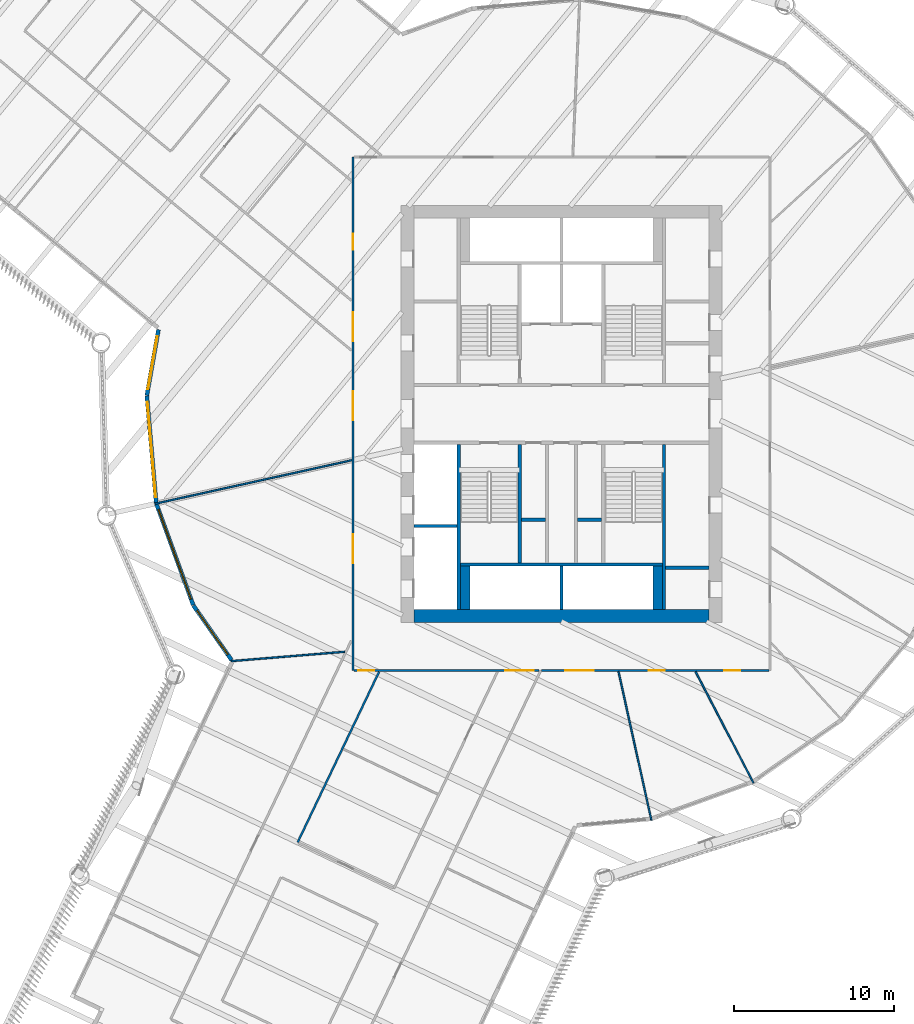
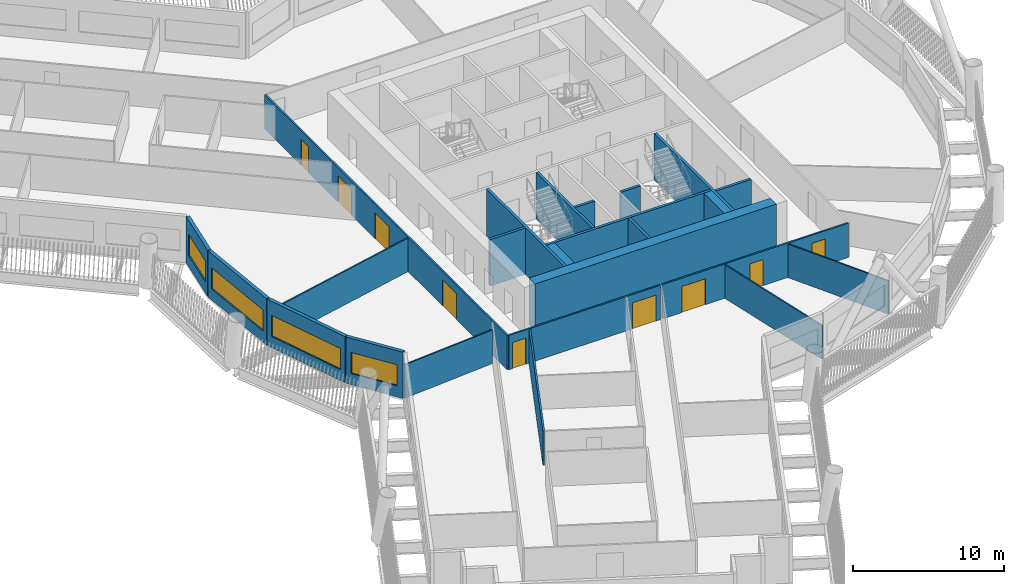
# One storey, part 4 of 22: 24 walls, 9 doors, 4 windows, 13 openings.
"""IFC4 building model written with IfcOpenShell, lengths in metres."""

from ifc_helpers import new_model, si_unit, direction, frame, frame_2d, origin, place, context, subcontext, project, spatial, rectangle, extrude, material, layer, layer_set, type_object, element, fill, save


model = new_model("IFC4")

# Units and contexts
model_context = context("Model", 3, precision=1e-05, world=origin(), true_north=direction((0.0, 1.0)))
body_context = subcontext(model_context, "Body", "Model", "MODEL_VIEW")
ifc_project = project(units=[si_unit("LENGTHUNIT", "METRE"), si_unit("AREAUNIT", "SQUARE_METRE"), si_unit("VOLUMEUNIT", "CUBIC_METRE"), si_unit("PLANEANGLEUNIT", "RADIAN"), si_unit("MASSUNIT", "GRAM", prefix="KILO")], contexts=[model_context])

# Site, building, storey
site_placement = place(None, origin())
site = spatial("IfcSite", under=ifc_project, at=site_placement, CompositionType="ELEMENT")
building_placement = place(site_placement, origin())
building = spatial("IfcBuilding", under=site, at=building_placement, Name="Tarsis Ring Headquarters", CompositionType="ELEMENT")
storey_placement = place(building_placement, frame((0.0, 0.0, 108.39990234375)))
storey = spatial("IfcBuildingStorey", under=building, at=storey_placement, Name="L24", CompositionType="ELEMENT", Elevation=108.39990234375)

# Walls
ifc_material_1 = material(Name="Blockwork", Category="masonry")
ifc_layer_1 = layer(ifc_material_1, 0.199951171875)
ifc_layer_set_1 = layer_set([ifc_layer_1], Name="Core blockwork wall 200")
wall_type_1 = type_object("IfcWallType", Name="Core blockwork wall 200", PredefinedType="PARTITIONING", material=ifc_layer_set_1)
wall_1_placement = place(storey_placement, frame((6.5, -9.60009765625, 0.0), z_axis=(0.0, 0.0, 1.0), x_axis=(1.0, 0.0, 0.0)))
element("IfcWall", 1, at=wall_1_placement, inside=storey, type_object=wall_type_1, Name="Core partition ED1", PredefinedType="PARTITIONING", context=body_context, shape_type="SweptSolid", body=[
    extrude(rectangle(XDim=2.699951171875, YDim=0.199951171875, at=frame_2d((1.35009765625, 0.0))), origin(), (0.0, 0.0, 1.0), 3.739990234375),
])
for number, where, z_axis, x_axis, name in (
    (2, (-2.5, -6.60009765625, 0.0), (0.0, 0.0, 1.0), (1.0, 0.0, 0.0), "Core partition SP1"),
    (3, (1.0, -6.60009765625, 0.0), (0.0, 0.0, 1.0), (1.0, 0.0, 0.0), "Core partition SP3"),
):
    element("IfcWall", number, at=place(storey_placement, frame(where, z_axis=z_axis, x_axis=x_axis)), inside=storey, type_object=wall_type_1, Name=name, PredefinedType="PARTITIONING", context=body_context, shape_type="SweptSolid", body=[
        extrude(rectangle(XDim=1.5, YDim=0.199951171875, at=frame_2d((0.75, 0.0))), origin(), (0.0, 0.0, 1.0), 3.739990234375),
    ])
ifc_material_2 = material(Name="Concrete C60/75", Category="concrete")
ifc_layer_2 = layer(ifc_material_2, 0.800048828125)
ifc_layer_set_2 = layer_set([ifc_layer_2], Name="Core wall 800 C60/75")
wall_type_2 = type_object("IfcWallType", Name="Core wall 800 C60/75", PredefinedType="SHEAR", material=ifc_layer_set_2)
wall_2_placement = place(storey_placement, frame((-9.199951171875, -12.60009765625, 0.0), z_axis=(0.0, 0.0, 1.0), x_axis=(1.0, 0.0, 0.0)))
element("IfcWall", 4, at=wall_2_placement, inside=storey, type_object=wall_type_2, Name="Core wall OS", PredefinedType="SHEAR", context=body_context, shape_type="SweptSolid", body=[
    extrude(rectangle(XDim=18.39990234375, YDim=0.800048828125, at=frame_2d((9.199951171875, 0.0))), origin(), (0.0, 0.0, 1.0), 3.739990234375),
])
ifc_material_3 = material(Name="Gypsum board on steel studs", Category="steel")
ifc_layer_3 = layer(ifc_material_3, 0.10009765625)
ifc_layer_set_3 = layer_set([ifc_layer_3], Name="FL partition 100 unrated")
wall_type_3 = type_object("IfcWallType", Name="FL partition 100 unrated", PredefinedType="PARTITIONING", material=ifc_layer_set_3)
wall_3_placement = place(storey_placement, frame((-25.334716796875, -5.607421875, 0.0), z_axis=(0.0, 0.0, 1.0), x_axis=(0.976368244752, 0.216113513323, 0.0)))
element("IfcWall", 5, at=wall_3_placement, inside=storey, type_object=wall_type_3, Name="Partition PW3", PredefinedType="PARTITIONING", context=body_context, shape_type="SweptSolid", body=[
    extrude(rectangle(XDim=12.563232421875, YDim=0.10009765625, at=frame_2d((6.28173828125, 0.0))), origin(), (0.0, 0.0, 1.0), 2.7001953125),
])
wall_4_placement = place(storey_placement, frame((3.556396484375, -16.068359375, 0.0), z_axis=(0.0, 0.0, 1.0), x_axis=(0.216110530138, -0.976368905058, 0.0)))
element("IfcWall", 6, at=wall_4_placement, inside=storey, type_object=wall_type_3, Name="Partition PW3", PredefinedType="PARTITIONING", context=body_context, shape_type="SweptSolid", body=[
    extrude(rectangle(XDim=9.49072265625, YDim=0.10009765625, at=frame_2d((4.745361328125, 0.0))), origin(), (0.0, 0.0, 1.0), 2.7001953125),
])
wall_5_placement = place(storey_placement, frame((8.363525390625, -16.079833984375, 0.0), z_axis=(0.0, 0.0, 1.0), x_axis=(0.461437239061, -0.887172854864, 0.0)))
element("IfcWall", 7, at=wall_5_placement, inside=storey, type_object=wall_type_3, Name="Partition PW3", PredefinedType="PARTITIONING", context=body_context, shape_type="SweptSolid", body=[
    extrude(rectangle(XDim=7.822998046875, YDim=0.10009765625, at=frame_2d((3.91162109375, 0.0))), origin(), (0.0, 0.0, 1.0), 2.7001953125),
])
wall_6_placement = place(storey_placement, frame((-20.575439453125, -15.419189453125, 0.0), z_axis=(0.0, 0.0, 1.0), x_axis=(0.996594345111, 0.082460361946, 0.0)))
element("IfcWall", 8, at=wall_6_placement, inside=storey, type_object=wall_type_3, Name="Partition PW3", PredefinedType="PARTITIONING", context=body_context, shape_type="SweptSolid", body=[
    extrude(rectangle(XDim=7.0791015625, YDim=0.10009765625, at=frame_2d((3.53955078125, 0.0))), origin(), (0.0, 0.0, 1.0), 2.7001953125),
])

# Wall, openings, doors
ifc_layer_4 = layer(ifc_material_3, 0.125)
ifc_layer_set_4 = layer_set([ifc_layer_4], Name="FL partition 125 EI 60 H2770")
wall_type_4 = type_object("IfcWallType", Name="FL partition 125 EI 60 H2770", PredefinedType="PARTITIONING", material=ifc_layer_set_4)
wall_7_placement = place(storey_placement, frame((-13.0, -16.0, 0.0), z_axis=(0.0, 0.0, 1.0), x_axis=(0.0, 1.0, 0.0)))
wall_7 = element("IfcWall", 9, at=wall_7_placement, inside=storey, type_object=wall_type_4, Name="Partition PW1", PredefinedType="PARTITIONING", context=body_context, shape_type="SweptSolid", body=[
    extrude(rectangle(XDim=32.0, YDim=0.125, at=frame_2d((16.0, 0.0))), origin(), (0.0, 0.0, 1.0), 2.77001953125),
])
opening_1_placement = place(wall_7_placement, frame((6.696044921875, 0.0, 0.0)))
opening_1 = element("IfcOpeningElement", 10, at=opening_1_placement, cuts=wall_7, Name="Opening D24.14", PredefinedType="OPENING", context=body_context, shape_type="SweptSolid", body=[
    extrude(rectangle(XDim=1.800048828125, YDim=2.10009765625, at=frame_2d((0.89990234375, 1.050048828125))), frame((0.0, 0.072509765625, 0.0), z_axis=(0.0, -1.0, 0.0), x_axis=(1.0, 0.0, 0.0)), (0.0, 0.0, 1.0), 0.14501953125),
])
opening_2_placement = place(wall_7_placement, frame((15.60107421875, 0.0, 0.0)))
opening_2 = element("IfcOpeningElement", 11, at=opening_2_placement, cuts=wall_7, Name="Opening D24.15", PredefinedType="OPENING", context=body_context, shape_type="SweptSolid", body=[
    extrude(rectangle(XDim=1.800048828125, YDim=2.10009765625, at=frame_2d((0.89990234375, 1.050048828125))), frame((0.0, 0.072509765625, 0.0), z_axis=(0.0, -1.0, 0.0), x_axis=(1.0, 0.0, 0.0)), (0.0, 0.0, 1.0), 0.14501953125),
])
opening_3_placement = place(wall_7_placement, frame((26.22412109375, 0.0, 0.0)))
opening_3 = element("IfcOpeningElement", 12, at=opening_3_placement, cuts=wall_7, Name="Opening D24.16", PredefinedType="OPENING", context=body_context, shape_type="SweptSolid", body=[
    extrude(rectangle(XDim=1.0, YDim=2.10009765625, at=frame_2d((0.5, 1.050048828125))), frame((0.0, 0.072509765625, 0.0), z_axis=(0.0, -1.0, 0.0), x_axis=(1.0, 0.0, 0.0)), (0.0, 0.0, 1.0), 0.14501953125),
])
opening_4_placement = place(wall_7_placement, frame((20.534912109375, 0.0, 0.0)))
opening_4 = element("IfcOpeningElement", 13, at=opening_4_placement, cuts=wall_7, Name="Opening D24.23", PredefinedType="OPENING", context=body_context, shape_type="SweptSolid", body=[
    extrude(rectangle(XDim=1.800048828125, YDim=2.10009765625, at=frame_2d((0.89990234375, 1.050048828125))), frame((0.0, 0.072509765625, 0.0), z_axis=(0.0, -1.0, 0.0), x_axis=(1.0, 0.0, 0.0)), (0.0, 0.0, 1.0), 0.14501953125),
])
ifc_material_4 = material(Name="Fire-rated timber door leaf in steel frame", Category="steel")
door_type_1 = type_object("IfcDoorType", Name="FL door FD60-1000", OperationType="NOTDEFINED", PredefinedType="DOOR", material=ifc_material_4)
door_1_placement = place(opening_3_placement, origin())
door_1 = element("IfcDoor", 14, at=door_1_placement, inside=storey, type_object=door_type_1, Name="Door D24.16", OperationType="SINGLE_SWING_RIGHT", OverallHeight=2.10009765625, OverallWidth=1.0, PredefinedType="DOOR", context=body_context, shape_type="SweptSolid", body=[
    extrude(rectangle(XDim=1.0, YDim=2.10009765625, at=frame_2d((0.5, 1.050048828125))), frame((0.0, 0.02490234375, 0.0), z_axis=(0.0, -1.0, 0.0), x_axis=(1.0, 0.0, 0.0)), (0.0, 0.0, 1.0), 0.050048828125),
])
fill(opening_3, door_1)
door_type_2 = type_object("IfcDoorType", Name="FL door FD60-1800", OperationType="DOUBLE_DOOR_SINGLE_SWING", PredefinedType="DOOR", material=ifc_material_4)
door_2_placement = place(opening_1_placement, origin())
door_2 = element("IfcDoor", 15, at=door_2_placement, inside=storey, type_object=door_type_2, Name="Door D24.14", OperationType="DOUBLE_DOOR_SINGLE_SWING", OverallHeight=2.10009765625, OverallWidth=1.800048828125, PredefinedType="DOOR", context=body_context, shape_type="SweptSolid", body=[
    extrude(rectangle(XDim=1.800048828125, YDim=2.10009765625, at=frame_2d((0.89990234375, 1.050048828125))), frame((0.0, 0.02490234375, 0.0), z_axis=(0.0, -1.0, 0.0), x_axis=(1.0, 0.0, 0.0)), (0.0, 0.0, 1.0), 0.050048828125),
])
fill(opening_1, door_2)
door_3_placement = place(opening_2_placement, origin())
door_3 = element("IfcDoor", 16, at=door_3_placement, inside=storey, type_object=door_type_2, Name="Door D24.15", OperationType="DOUBLE_DOOR_SINGLE_SWING", OverallHeight=2.10009765625, OverallWidth=1.800048828125, PredefinedType="DOOR", context=body_context, shape_type="SweptSolid", body=[
    extrude(rectangle(XDim=1.800048828125, YDim=2.10009765625, at=frame_2d((0.89990234375, 1.050048828125))), frame((0.0, 0.02490234375, 0.0), z_axis=(0.0, -1.0, 0.0), x_axis=(1.0, 0.0, 0.0)), (0.0, 0.0, 1.0), 0.050048828125),
])
fill(opening_2, door_3)
door_4_placement = place(opening_4_placement, origin())
door_4 = element("IfcDoor", 17, at=door_4_placement, inside=storey, type_object=door_type_2, Name="Door D24.23", OperationType="DOUBLE_DOOR_SINGLE_SWING", OverallHeight=2.10009765625, OverallWidth=1.800048828125, PredefinedType="DOOR", context=body_context, shape_type="SweptSolid", body=[
    extrude(rectangle(XDim=1.800048828125, YDim=2.10009765625, at=frame_2d((0.89990234375, 1.050048828125))), frame((0.0, 0.02490234375, 0.0), z_axis=(0.0, -1.0, 0.0), x_axis=(1.0, 0.0, 0.0)), (0.0, 0.0, 1.0), 0.050048828125),
])
fill(opening_4, door_4)

wall_8_placement = place(storey_placement, frame((-12.93994140625, -16.0, 0.0), z_axis=(0.0, 0.0, 1.0), x_axis=(1.0, 0.0, 0.0)))
wall_8 = element("IfcWall", 18, at=wall_8_placement, inside=storey, type_object=wall_type_4, Name="Partition PW1", PredefinedType="PARTITIONING", context=body_context, shape_type="SweptSolid", body=[
    extrude(rectangle(XDim=11.5517578125, YDim=0.125, at=frame_2d((5.77587890625, 0.0))), origin(), (0.0, 0.0, 1.0), 2.77001953125),
])
opening_5_placement = place(wall_8_placement, frame((0.27587890625, 0.0, 0.0)))
opening_5 = element("IfcOpeningElement", 19, at=opening_5_placement, cuts=wall_8, Name="Opening D24.21", PredefinedType="OPENING", context=body_context, shape_type="SweptSolid", body=[
    extrude(rectangle(XDim=1.0, YDim=2.10009765625, at=frame_2d((0.5, 1.050048828125))), frame((0.0, 0.072509765625, 0.0), z_axis=(0.0, -1.0, 0.0), x_axis=(1.0, 0.0, 0.0)), (0.0, 0.0, 1.0), 0.14501953125),
])
opening_6_placement = place(wall_8_placement, frame((9.42138671875, 0.0, 0.0)))
opening_6 = element("IfcOpeningElement", 20, at=opening_6_placement, cuts=wall_8, Name="Opening D24.22", PredefinedType="OPENING", context=body_context, shape_type="SweptSolid", body=[
    extrude(rectangle(XDim=1.800048828125, YDim=2.10009765625, at=frame_2d((0.89990234375, 1.050048828125))), frame((0.0, 0.072509765625, 0.0), z_axis=(0.0, -1.0, 0.0), x_axis=(1.0, 0.0, 0.0)), (0.0, 0.0, 1.0), 0.14501953125),
])
door_5_placement = place(opening_5_placement, origin())
door_5 = element("IfcDoor", 21, at=door_5_placement, inside=storey, type_object=door_type_1, Name="Door D24.21", OperationType="SINGLE_SWING_LEFT", OverallHeight=2.10009765625, OverallWidth=1.0, PredefinedType="DOOR", context=body_context, shape_type="SweptSolid", body=[
    extrude(rectangle(XDim=1.0, YDim=2.10009765625, at=frame_2d((0.5, 1.050048828125))), frame((0.0, 0.02490234375, 0.0), z_axis=(0.0, -1.0, 0.0), x_axis=(1.0, 0.0, 0.0)), (0.0, 0.0, 1.0), 0.050048828125),
])
fill(opening_5, door_5)
door_6_placement = place(opening_6_placement, origin())
door_6 = element("IfcDoor", 22, at=door_6_placement, inside=storey, type_object=door_type_2, Name="Door D24.22", OperationType="DOUBLE_DOOR_SINGLE_SWING", OverallHeight=2.10009765625, OverallWidth=1.800048828125, PredefinedType="DOOR", context=body_context, shape_type="SweptSolid", body=[
    extrude(rectangle(XDim=1.800048828125, YDim=2.10009765625, at=frame_2d((0.89990234375, 1.050048828125))), frame((0.0, 0.02490234375, 0.0), z_axis=(0.0, -1.0, 0.0), x_axis=(1.0, 0.0, 0.0)), (0.0, 0.0, 1.0), 0.050048828125),
])
fill(opening_6, door_6)

wall_9_placement = place(storey_placement, frame((-1.232666015625, -16.0, 0.0), z_axis=(0.0, 0.0, 1.0), x_axis=(1.0, 0.0, 0.0)))
wall_9 = element("IfcWall", 23, at=wall_9_placement, inside=storey, type_object=wall_type_4, Name="Partition PW1", PredefinedType="PARTITIONING", context=body_context, shape_type="SweptSolid", body=[
    extrude(rectangle(XDim=14.172607421875, YDim=0.125, at=frame_2d((7.08642578125, 0.0))), origin(), (0.0, 0.0, 1.0), 2.77001953125),
])
opening_7_placement = place(wall_9_placement, frame((11.3935546875, 0.0, 0.0)))
opening_7 = element("IfcOpeningElement", 24, at=opening_7_placement, cuts=wall_9, Name="Opening D24.08", PredefinedType="OPENING", context=body_context, shape_type="SweptSolid", body=[
    extrude(rectangle(XDim=1.0, YDim=2.10009765625, at=frame_2d((0.5, 1.050048828125))), frame((0.0, 0.072509765625, 0.0), z_axis=(0.0, -1.0, 0.0), x_axis=(1.0, 0.0, 0.0)), (0.0, 0.0, 1.0), 0.14501953125),
])
opening_8_placement = place(wall_9_placement, frame((6.664306640625, 0.0, 0.0)))
opening_8 = element("IfcOpeningElement", 25, at=opening_8_placement, cuts=wall_9, Name="Opening D24.09", PredefinedType="OPENING", context=body_context, shape_type="SweptSolid", body=[
    extrude(rectangle(XDim=1.0, YDim=2.10009765625, at=frame_2d((0.5, 1.050048828125))), frame((0.0, 0.072509765625, 0.0), z_axis=(0.0, -1.0, 0.0), x_axis=(1.0, 0.0, 0.0)), (0.0, 0.0, 1.0), 0.14501953125),
])
opening_9_placement = place(wall_9_placement, frame((1.458740234375, 0.0, 0.0)))
opening_9 = element("IfcOpeningElement", 26, at=opening_9_placement, cuts=wall_9, Name="Opening D24.10", PredefinedType="OPENING", context=body_context, shape_type="SweptSolid", body=[
    extrude(rectangle(XDim=1.800048828125, YDim=2.10009765625, at=frame_2d((0.89990234375, 1.050048828125))), frame((0.0, 0.072509765625, 0.0), z_axis=(0.0, -1.0, 0.0), x_axis=(1.0, 0.0, 0.0)), (0.0, 0.0, 1.0), 0.14501953125),
])
door_7_placement = place(opening_7_placement, origin())
door_7 = element("IfcDoor", 27, at=door_7_placement, inside=storey, type_object=door_type_1, Name="Door D24.08", OperationType="SINGLE_SWING_RIGHT", OverallHeight=2.10009765625, OverallWidth=1.0, PredefinedType="DOOR", context=body_context, shape_type="SweptSolid", body=[
    extrude(rectangle(XDim=1.0, YDim=2.10009765625, at=frame_2d((0.5, 1.050048828125))), frame((0.0, 0.02490234375, 0.0), z_axis=(0.0, -1.0, 0.0), x_axis=(1.0, 0.0, 0.0)), (0.0, 0.0, 1.0), 0.050048828125),
])
fill(opening_7, door_7)
door_8_placement = place(opening_8_placement, origin())
door_8 = element("IfcDoor", 28, at=door_8_placement, inside=storey, type_object=door_type_1, Name="Door D24.09", OperationType="SINGLE_SWING_LEFT", OverallHeight=2.10009765625, OverallWidth=1.0, PredefinedType="DOOR", context=body_context, shape_type="SweptSolid", body=[
    extrude(rectangle(XDim=1.0, YDim=2.10009765625, at=frame_2d((0.5, 1.050048828125))), frame((0.0, 0.02490234375, 0.0), z_axis=(0.0, -1.0, 0.0), x_axis=(1.0, 0.0, 0.0)), (0.0, 0.0, 1.0), 0.050048828125),
])
fill(opening_8, door_8)
door_9_placement = place(opening_9_placement, origin())
door_9 = element("IfcDoor", 29, at=door_9_placement, inside=storey, type_object=door_type_2, Name="Door D24.10", OperationType="DOUBLE_DOOR_SINGLE_SWING", OverallHeight=2.10009765625, OverallWidth=1.800048828125, PredefinedType="DOOR", context=body_context, shape_type="SweptSolid", body=[
    extrude(rectangle(XDim=1.800048828125, YDim=2.10009765625, at=frame_2d((0.89990234375, 1.050048828125))), frame((0.0, 0.02490234375, 0.0), z_axis=(0.0, -1.0, 0.0), x_axis=(1.0, 0.0, 0.0)), (0.0, 0.0, 1.0), 0.050048828125),
])
fill(opening_9, door_9)

# Wall
wall_10_placement = place(storey_placement, frame((-16.447021484375, -26.72119140625, 0.0), z_axis=(0.0, 0.0, 1.0), x_axis=(0.430847255258, 0.90242486814, 0.0)))
element("IfcWall", 30, at=wall_10_placement, inside=storey, type_object=wall_type_4, Name="Partition PW1", PredefinedType="PARTITIONING", context=body_context, shape_type="SweptSolid", body=[
    extrude(rectangle(XDim=11.790283203125, YDim=0.125, at=frame_2d((5.89501953125, 0.0))), origin(), (0.0, 0.0, 1.0), 2.77001953125),
])

# Wall, opening, window
ifc_material_5 = material(Name="Terracotta clad insulated panel wall", Category="masonry")
ifc_layer_5 = layer(ifc_material_5, 0.25)
ifc_layer_set_5 = layer_set([ifc_layer_5], Name="Facade wall terracotta panel 250")
wall_type_5 = type_object("IfcWallType", Name="Facade wall terracotta panel 250", PredefinedType="STANDARD", material=ifc_layer_set_5)
wall_11_placement = place(storey_placement, frame((-25.12255859375, 5.248046875, 0.0), z_axis=(0.0, 0.0, 1.0), x_axis=(-0.1739896706, -0.984747477542, 0.0)))
wall_11 = element("IfcWall", 31, at=wall_11_placement, inside=storey, type_object=wall_type_5, Name="External wall L24-02", PredefinedType="STANDARD", context=body_context, shape_type="SweptSolid", body=[
    extrude(rectangle(XDim=4.15771484375, YDim=0.25, at=frame_2d((2.078857421875, 0.0))), origin(), (0.0, 0.0, 1.0), 3.739990234375),
])
opening_10_placement = place(wall_11_placement, frame((0.420166015625, 0.0, 0.89990234375)))
opening_10 = element("IfcOpeningElement", 32, at=opening_10_placement, cuts=wall_11, Name="Opening WN01", PredefinedType="OPENING", context=body_context, shape_type="SweptSolid", body=[
    extrude(rectangle(XDim=3.35009765625, YDim=1.699951171875, at=frame_2d((1.675048828125, 0.85009765625))), frame((0.0, 0.135009765625, 0.0), z_axis=(0.0, -1.0, 0.0), x_axis=(1.0, 0.0, 0.0)), (0.0, 0.0, 1.0), 0.27001953125),
])
ifc_material_6 = material(Name="Aluminium framed double glazing", Category="aluminium")
window_type_1 = type_object("IfcWindowType", Name="Facade window 3350 x 1700", PartitioningType="SINGLE_PANEL", PredefinedType="WINDOW", material=ifc_material_6)
window_1_placement = place(opening_10_placement, origin())
window_1 = element("IfcWindow", 33, at=window_1_placement, inside=storey, type_object=window_type_1, Name="Window L24-02.1", OverallHeight=1.699951171875, OverallWidth=3.35009765625, PartitioningType="SINGLE_PANEL", PredefinedType="WINDOW", context=body_context, shape_type="SweptSolid", body=[
    extrude(rectangle(XDim=3.35009765625, YDim=1.699951171875, at=frame_2d((1.675048828125, 0.85009765625))), frame((0.0, 0.030029296875, 0.0), z_axis=(0.0, -1.0, 0.0), x_axis=(1.0, 0.0, 0.0)), (0.0, 0.0, 1.0), 0.06005859375),
])
fill(opening_10, window_1)

wall_12_placement = place(storey_placement, frame((-25.847412109375, 1.121337890625, 0.0), z_axis=(0.0, 0.0, 1.0), x_axis=(0.086808292028, -0.996225035037, 0.0)))
wall_12 = element("IfcWall", 34, at=wall_12_placement, inside=storey, type_object=wall_type_5, Name="External wall L24-03", PredefinedType="STANDARD", context=body_context, shape_type="SweptSolid", body=[
    extrude(rectangle(XDim=6.7216796875, YDim=0.25, at=frame_2d((3.36083984375, 0.0))), origin(), (0.0, 0.0, 1.0), 3.739990234375),
])
opening_11_placement = place(wall_12_placement, frame((0.3857421875, 0.0, 0.89990234375)))
opening_11 = element("IfcOpeningElement", 35, at=opening_11_placement, cuts=wall_12, Name="Opening WN07", PredefinedType="OPENING", context=body_context, shape_type="SweptSolid", body=[
    extrude(rectangle(XDim=5.949951171875, YDim=1.699951171875, at=frame_2d((2.97509765625, 0.85009765625))), frame((0.0, 0.135009765625, 0.0), z_axis=(0.0, -1.0, 0.0), x_axis=(1.0, 0.0, 0.0)), (0.0, 0.0, 1.0), 0.27001953125),
])
window_type_2 = type_object("IfcWindowType", Name="Facade window 5950 x 1700", PartitioningType="SINGLE_PANEL", PredefinedType="WINDOW", material=ifc_material_6)
window_2_placement = place(opening_11_placement, origin())
window_2 = element("IfcWindow", 36, at=window_2_placement, inside=storey, type_object=window_type_2, Name="Window L24-03.1", OverallHeight=1.699951171875, OverallWidth=5.949951171875, PartitioningType="SINGLE_PANEL", PredefinedType="WINDOW", context=body_context, shape_type="SweptSolid", body=[
    extrude(rectangle(XDim=5.949951171875, YDim=1.699951171875, at=frame_2d((2.97509765625, 0.85009765625))), frame((0.0, 0.030029296875, 0.0), z_axis=(0.0, -1.0, 0.0), x_axis=(1.0, 0.0, 0.0)), (0.0, 0.0, 1.0), 0.06005859375),
])
fill(opening_11, window_2)

wall_13_placement = place(storey_placement, frame((-25.2568359375, -5.606689453125, 0.0), z_axis=(0.0, 0.0, 1.0), x_axis=(0.341675986817, -0.939817812149, 0.0)))
wall_13 = element("IfcWall", 37, at=wall_13_placement, inside=storey, type_object=wall_type_5, Name="External wall L24-04", PredefinedType="STANDARD", context=body_context, shape_type="SweptSolid", body=[
    extrude(rectangle(XDim=6.7216796875, YDim=0.25, at=frame_2d((3.36083984375, 0.0))), origin(), (0.0, 0.0, 1.0), 3.739990234375),
])
opening_12_placement = place(wall_13_placement, frame((0.3857421875, 0.0, 0.89990234375)))
opening_12 = element("IfcOpeningElement", 38, at=opening_12_placement, cuts=wall_13, Name="Opening WN07", PredefinedType="OPENING", context=body_context, shape_type="SweptSolid", body=[
    extrude(rectangle(XDim=5.949951171875, YDim=1.699951171875, at=frame_2d((2.97509765625, 0.85009765625))), frame((0.0, 0.135009765625, 0.0), z_axis=(0.0, -1.0, 0.0), x_axis=(1.0, 0.0, 0.0)), (0.0, 0.0, 1.0), 0.27001953125),
])
window_3_placement = place(opening_12_placement, origin())
window_3 = element("IfcWindow", 39, at=window_3_placement, inside=storey, type_object=window_type_2, Name="Window L24-04.1", OverallHeight=1.699951171875, OverallWidth=5.949951171875, PartitioningType="SINGLE_PANEL", PredefinedType="WINDOW", context=body_context, shape_type="SweptSolid", body=[
    extrude(rectangle(XDim=5.949951171875, YDim=1.699951171875, at=frame_2d((2.97509765625, 0.85009765625))), frame((0.0, 0.030029296875, 0.0), z_axis=(0.0, -1.0, 0.0), x_axis=(1.0, 0.0, 0.0)), (0.0, 0.0, 1.0), 0.06005859375),
])
fill(opening_12, window_3)

wall_14_placement = place(storey_placement, frame((-22.945068359375, -11.95263671875, 0.0), z_axis=(0.0, 0.0, 1.0), x_axis=(0.57326132632, -0.819372596409, 0.0)))
wall_14 = element("IfcWall", 40, at=wall_14_placement, inside=storey, type_object=wall_type_5, Name="External wall L24-05", PredefinedType="STANDARD", context=body_context, shape_type="SweptSolid", body=[
    extrude(rectangle(XDim=4.157470703125, YDim=0.25, at=frame_2d((2.07861328125, 0.0))), origin(), (0.0, 0.0, 1.0), 3.739990234375),
])
opening_13_placement = place(wall_14_placement, frame((0.38720703125, 0.0, 0.89990234375)))
opening_13 = element("IfcOpeningElement", 41, at=opening_13_placement, cuts=wall_14, Name="Opening WN01", PredefinedType="OPENING", context=body_context, shape_type="SweptSolid", body=[
    extrude(rectangle(XDim=3.35009765625, YDim=1.699951171875, at=frame_2d((1.675048828125, 0.85009765625))), frame((0.0, 0.135009765625, 0.0), z_axis=(0.0, -1.0, 0.0), x_axis=(1.0, 0.0, 0.0)), (0.0, 0.0, 1.0), 0.27001953125),
])
window_4_placement = place(opening_13_placement, origin())
window_4 = element("IfcWindow", 42, at=window_4_placement, inside=storey, type_object=window_type_1, Name="Window L24-05.1", OverallHeight=1.699951171875, OverallWidth=3.35009765625, PartitioningType="SINGLE_PANEL", PredefinedType="WINDOW", context=body_context, shape_type="SweptSolid", body=[
    extrude(rectangle(XDim=3.35009765625, YDim=1.699951171875, at=frame_2d((1.675048828125, 0.85009765625))), frame((0.0, 0.030029296875, 0.0), z_axis=(0.0, -1.0, 0.0), x_axis=(1.0, 0.0, 0.0)), (0.0, 0.0, 1.0), 0.06005859375),
])
fill(opening_13, window_4)

# Walls
ifc_material_7 = material(Name="Concrete C32/40", Category="concrete")
ifc_layer_6 = layer(ifc_material_7, 0.60009765625)
ifc_layer_set_6 = layer_set([ifc_layer_6], Name="Shaft end wall 600 C32/40")
wall_type_6 = type_object("IfcWallType", Name="Shaft end wall 600 C32/40", PredefinedType="SOLIDWALL", material=ifc_layer_set_6)
for number, where, z_axis, x_axis, name in (
    (43, (-6.0, -12.199951171875, 0.0), (0.0, 0.0, 1.0), (0.0, 1.0, 0.0), "Core shaft wall SNE1"),
    (44, (6.0, -12.199951171875, 0.0), (0.0, 0.0, 1.0), (0.0, 1.0, 0.0), "Core shaft wall SNE2"),
):
    element("IfcWall", number, at=place(storey_placement, frame(where, z_axis=z_axis, x_axis=x_axis)), inside=storey, type_object=wall_type_6, Name=name, PredefinedType="SOLIDWALL", context=body_context, shape_type="SweptSolid", body=[
        extrude(rectangle(XDim=2.699951171875, YDim=0.60009765625, at=frame_2d((1.35009765625, 0.0))), origin(), (0.0, 0.0, 1.0), 3.739990234375),
    ])
ifc_layer_7 = layer(ifc_material_7, 0.199951171875)
ifc_layer_set_7 = layer_set([ifc_layer_7], Name="Shaft wall 200 C32/40")
wall_type_7 = type_object("IfcWallType", Name="Shaft wall 200 C32/40", PredefinedType="SOLIDWALL", material=ifc_layer_set_7)
for number, where, z_axis, x_axis, name in (
    (45, (-6.39990234375, -12.199951171875, 0.0), (0.0, 0.0, 1.0), (0.0, 1.0, 0.0), "Core shaft wall WB1"),
    (46, (6.39990234375, -12.199951171875, 0.0), (0.0, 0.0, 1.0), (0.0, 1.0, 0.0), "Core shaft wall EB1"),
):
    element("IfcWall", number, at=place(storey_placement, frame(where, z_axis=z_axis, x_axis=x_axis)), inside=storey, type_object=wall_type_7, Name=name, PredefinedType="SOLIDWALL", context=body_context, shape_type="SweptSolid", body=[
        extrude(rectangle(XDim=10.300048828125, YDim=0.199951171875, at=frame_2d((5.14990234375, 0.0))), origin(), (0.0, 0.0, 1.0), 3.739990234375),
    ])
wall_15_placement = place(storey_placement, frame((-6.300048828125, -9.39990234375, 0.0), z_axis=(0.0, 0.0, 1.0), x_axis=(1.0, 0.0, 0.0)))
element("IfcWall", 47, at=wall_15_placement, inside=storey, type_object=wall_type_7, Name="Core shaft wall SB", PredefinedType="SOLIDWALL", context=body_context, shape_type="SweptSolid", body=[
    extrude(rectangle(XDim=12.60009765625, YDim=0.199951171875, at=frame_2d((6.300048828125, 0.0))), origin(), (0.0, 0.0, 1.0), 3.739990234375),
])
wall_16_placement = place(storey_placement, frame((-2.60009765625, -9.300048828125, 0.0), z_axis=(0.0, 0.0, 1.0), x_axis=(0.0, 1.0, 0.0)))
element("IfcWall", 48, at=wall_16_placement, inside=storey, type_object=wall_type_7, Name="Core shaft wall SW3", PredefinedType="SOLIDWALL", context=body_context, shape_type="SweptSolid", body=[
    extrude(rectangle(XDim=7.400146484375, YDim=0.199951171875, at=frame_2d((3.7001953125, 0.0))), origin(), (0.0, 0.0, 1.0), 3.739990234375),
])
for number, where, z_axis, x_axis, name in (
    (49, (-9.199951171875, -7.0, 0.0), (0.0, 0.0, 1.0), (1.0, 0.0, 0.0), "Core shaft wall WD2"),
    (50, (0.0, -12.199951171875, 0.0), (0.0, 0.0, 1.0), (0.0, 1.0, 0.0), "Core shaft wall SD2"),
):
    element("IfcWall", number, at=place(storey_placement, frame(where, z_axis=z_axis, x_axis=x_axis)), inside=storey, type_object=wall_type_7, Name=name, PredefinedType="SOLIDWALL", context=body_context, shape_type="SweptSolid", body=[
        extrude(rectangle(XDim=2.699951171875, YDim=0.199951171875, at=frame_2d((1.35009765625, 0.0))), origin(), (0.0, 0.0, 1.0), 3.739990234375),
    ])

save(model, "model.ifc")
